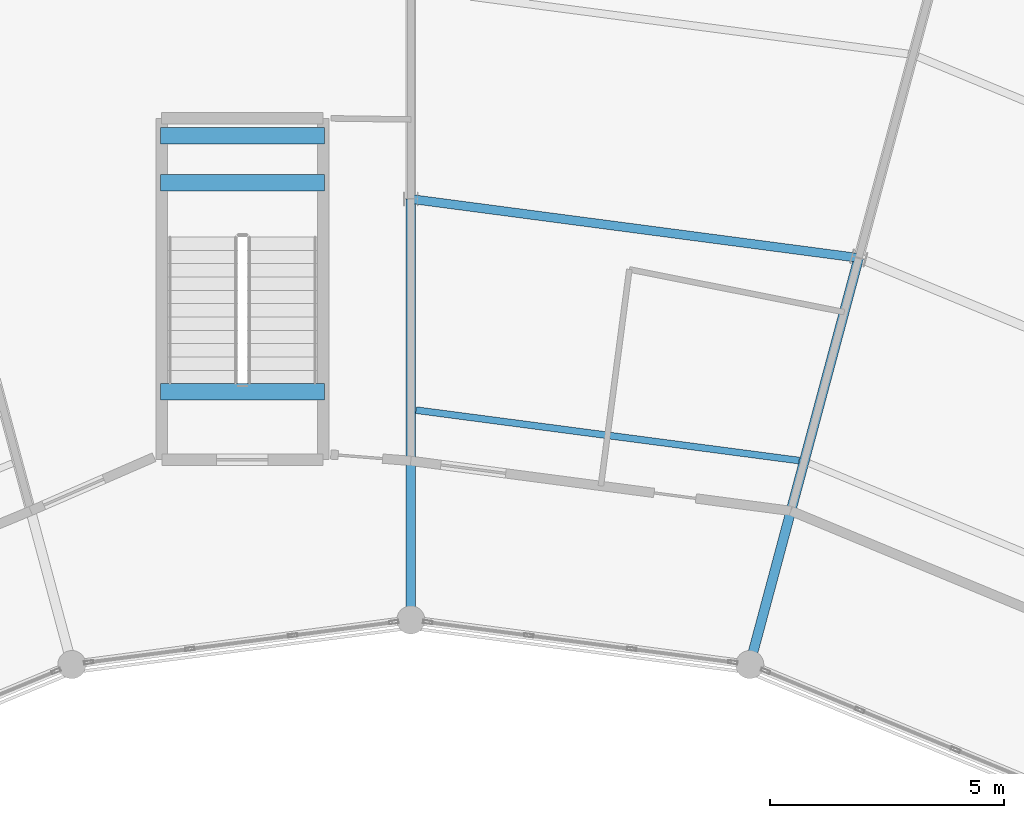
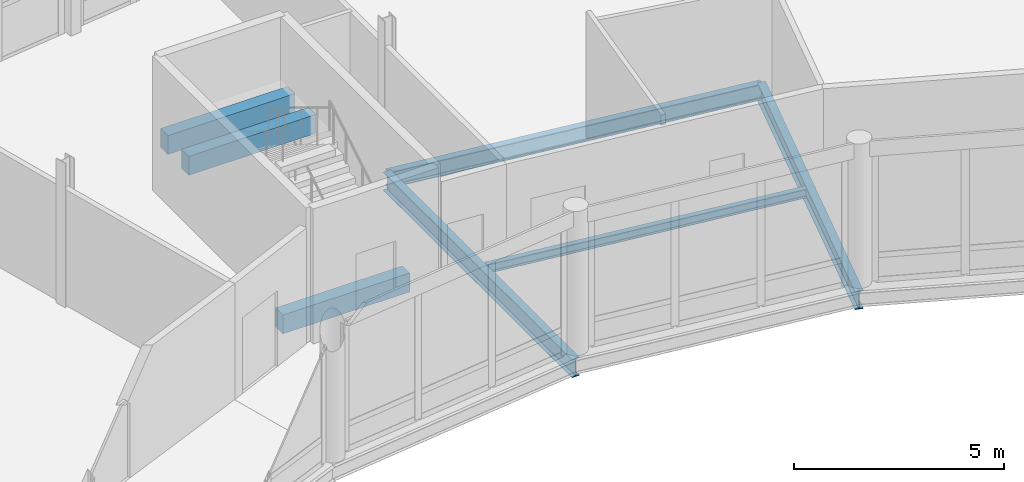
# One storey, part 79 of 170: 7 beams.
"""IFC4 building model written with IfcOpenShell, lengths in metres."""

from ifc_helpers import new_model, si_unit, direction, frame, origin, origin_2d, place, context, subcontext, project, spatial, rectangle, i_section, extrude, material, material_profile, profile_set, type_object, element, save


model = new_model("IFC4")

# Units and contexts
model_context = context("Model", 3, precision=1e-05, world=origin(), true_north=direction((0.0, 1.0)))
body_context = subcontext(model_context, "Body", "Model", "MODEL_VIEW")
ifc_project = project(units=[si_unit("LENGTHUNIT", "METRE"), si_unit("AREAUNIT", "SQUARE_METRE"), si_unit("VOLUMEUNIT", "CUBIC_METRE"), si_unit("PLANEANGLEUNIT", "RADIAN"), si_unit("MASSUNIT", "GRAM", prefix="KILO")], contexts=[model_context])

# Site, building, storey
site_placement = place(None, origin())
site = spatial("IfcSite", under=ifc_project, at=site_placement, CompositionType="ELEMENT")
building_placement = place(site_placement, origin())
building = spatial("IfcBuilding", under=site, at=building_placement, Name="Vondelvale Polytechnic", CompositionType="ELEMENT")
storey_placement = place(building_placement, frame((0.0, 0.0, 5.39990234375)))
storey = spatial("IfcBuildingStorey", under=building, at=storey_placement, Name="L01", CompositionType="ELEMENT", Elevation=5.39990234375)

# Beams
ifc_material_1 = material(Name="Concrete N40 (f'c = 40 MPa)", Category="concrete")
ifc_material_profile_1 = material_profile(ifc_material_1, rectangle(XDim=0.35009765625, YDim=0.550048828125, at=origin_2d()), Name="RC-BM-350x550")
ifc_profile_set_1 = profile_set([ifc_material_profile_1], Name="Concrete N40 (f'c = 40 MPa)")
beam_type_1 = type_object("IfcBeamType", Name="BM-RC350x550", PredefinedType="BEAM", material=ifc_profile_set_1)
for number, where, z_axis, x_axis, name in (
    (1, (100.14990234375, 109.35009765625, 1.625), (-1.0, 0.0, 0.0), (0.0, -1.0, 0.0), "L01 STLD B-06"),
    (2, (100.14990234375, 110.35009765625, 1.625), (-1.0, 0.0, 0.0), (0.0, -1.0, 0.0), "L01 STLD B-06"),
    (3, (100.14990234375, 104.875, -0.27490234375), (-1.0, 0.0, 0.0), (0.0, -1.0, 0.0), "L01 STHD B-06"),
):
    element("IfcBeam", number, at=place(storey_placement, frame(where, z_axis=z_axis, x_axis=x_axis)), inside=storey, type_object=beam_type_1, Name=name, PredefinedType="BEAM", context=body_context, shape_type="SweptSolid", body=[
        extrude(rectangle(XDim=0.35009765625, YDim=0.550048828125, at=origin_2d()), origin(), (0.0, 0.0, 1.0), 3.5),
    ])
ifc_material_2 = material(Name="Steel 300PLUS (fy = 300 MPa)", Category="steel")
ifc_material_profile_2 = material_profile(ifc_material_2, i_section(OverallWidth=0.19091796875, OverallDepth=0.4599609375, WebThickness=0.010009765625, FlangeThickness=0.01611328125, FilletRadius=0.011474609375, at=origin_2d()), Name="460UB82.1")
ifc_profile_set_2 = profile_set([ifc_material_profile_2], Name="Steel 300PLUS (fy = 300 MPa)")
beam_type_2 = type_object("IfcBeamType", Name="BM-UB460H", PredefinedType="BEAM", material=ifc_profile_set_2)
beam_1_placement = place(storey_placement, frame((111.576416015625, 107.7392578125, -0.510009765625), z_axis=(-0.991445087779, 0.130524472487, 0.0), x_axis=(-0.130524472487, -0.991445087779, 0.0)))
element("IfcBeam", 4, at=beam_1_placement, inside=storey, type_object=beam_type_2, Name="L01 RB B-12", PredefinedType="BEAM", context=body_context, shape_type="SweptSolid", body=[
    extrude(i_section(OverallWidth=0.19091796875, OverallDepth=0.4599609375, WebThickness=0.010009765625, FlangeThickness=0.01611328125, FilletRadius=0.011474609375, at=origin_2d()), origin(), (0.0, 0.0, 1.0), 9.658935546875),
])
ifc_material_profile_3 = material_profile(ifc_material_2, i_section(OverallWidth=0.208984375, OverallDepth=0.532958984375, WebThickness=0.01025390625, FlangeThickness=0.015625, FilletRadius=0.013916015625, at=origin_2d()), Name="530UB92.4")
ifc_profile_set_3 = profile_set([ifc_material_profile_3], Name="Steel 300PLUS (fy = 300 MPa)")
beam_type_3 = type_object("IfcBeamType", Name="BM-UB530", PredefinedType="BEAM", material=ifc_profile_set_3)
for number, where, z_axis, x_axis, name in (
    (5, (109.246826171875, 99.0458984375, -0.54638671875), (0.258840941576, 0.965919958881, 0.0), (-0.965919958881, 0.258840941576, 0.0), "L01 RG B-11"),
    (6, (102.0, 100.0, -0.54638671875), (0.0, 1.0, 0.0), (-1.0, 0.0, 0.0), "L01 RG B-11"),
):
    element("IfcBeam", number, at=place(storey_placement, frame(where, z_axis=z_axis, x_axis=x_axis)), inside=storey, type_object=beam_type_3, Name=name, PredefinedType="BEAM", context=body_context, shape_type="SweptSolid", body=[
        extrude(i_section(OverallWidth=0.208984375, OverallDepth=0.532958984375, WebThickness=0.01025390625, FlangeThickness=0.015625, FilletRadius=0.013916015625, at=origin_2d()), origin(), (0.0, 0.0, 1.0), 9.0),
    ])
ifc_material_profile_4 = material_profile(ifc_material_2, i_section(OverallWidth=0.14599609375, OverallDepth=0.256103515625, WebThickness=0.00634765625, FlangeThickness=0.010986328125, FilletRadius=0.0087890625, at=origin_2d()), Name="250UB37.3")
ifc_profile_set_4 = profile_set([ifc_material_profile_4], Name="Steel 300PLUS (fy = 300 MPa)")
beam_type_4 = type_object("IfcBeamType", Name="JST-UB250", PredefinedType="JOIST", material=ifc_profile_set_4)
beam_2_placement = place(storey_placement, frame((110.302490234375, 103.406982421875, -0.407958984375), z_axis=(-0.991445847008, 0.130518705366, 0.0), x_axis=(-0.130518705366, -0.991445847008, 0.0)))
element("IfcBeam", 7, at=beam_2_placement, inside=storey, type_object=beam_type_4, Name="L01 RJ J-06", PredefinedType="JOIST", context=body_context, shape_type="SweptSolid", body=[
    extrude(i_section(OverallWidth=0.14599609375, OverallDepth=0.256103515625, WebThickness=0.00634765625, FlangeThickness=0.010986328125, FilletRadius=0.0087890625, at=origin_2d()), origin(), (0.0, 0.0, 1.0), 8.26416015625),
])

save(model, "model.ifc")
